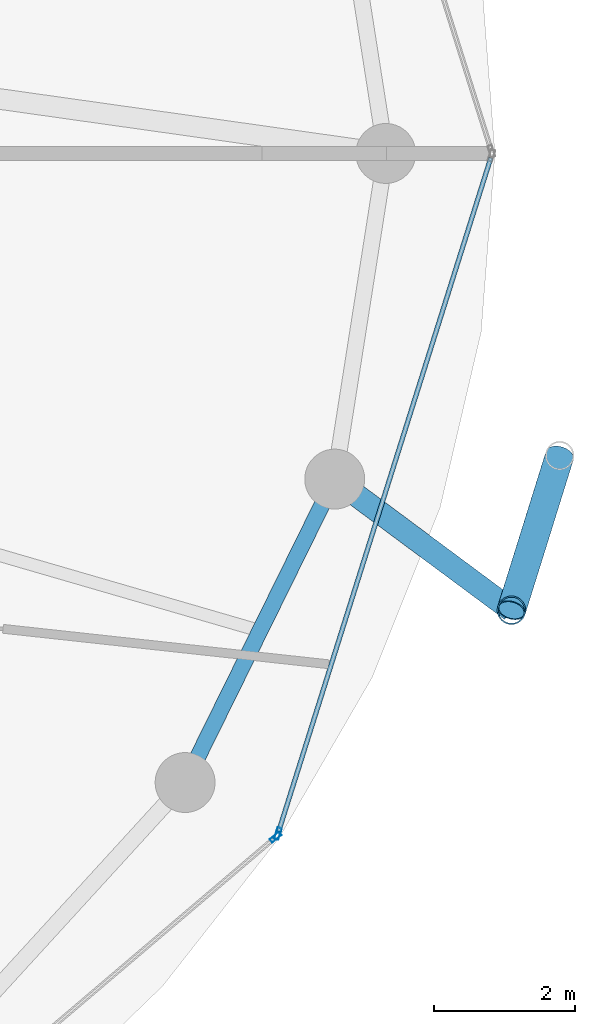
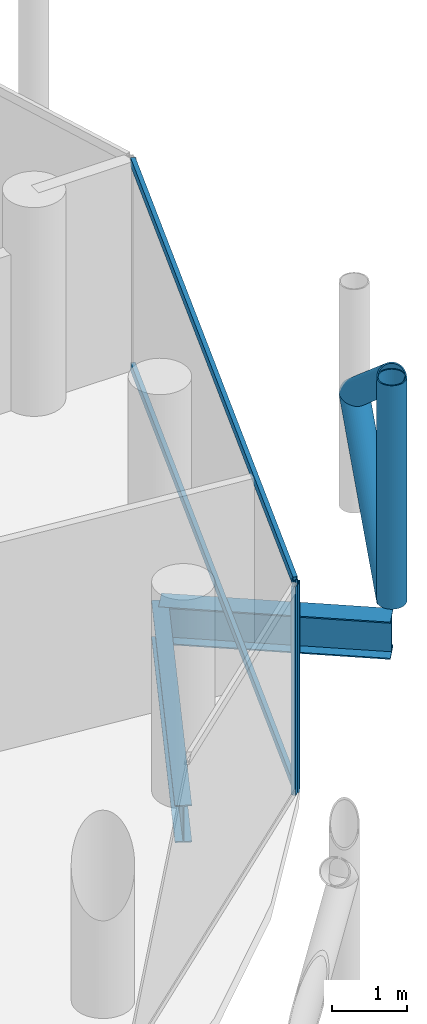
# One storey, part 13 of 27: 7 members, 2 beams, 2 elements without a shape of their own.
"""IFC4 building model written with IfcOpenShell, lengths in metres."""

import ifcopenshell
import ifcopenshell.guid

model = None  # the IFC model being written
_history = None  # IfcOwnerHistory: only IFC2X3 demands one
_inside = {}  # id of a spatial element -> (the spatial element, [elements in it])
_under = {}  # id of a project, library or spatial element -> (it, [spatial elements below it])
_declared = {}  # id of a project -> (the project, [libraries it declares])
_typed = {}  # id of a type object -> (the type object, [elements of that type])
_made_of = {}  # id of a material, layer set ... -> (it, [elements and type objects made of it])


def new_model(schema):
    """Start an empty IFC model of exactly this schema.

    Asked for "IFC4X3", IfcOpenShell would pick the latest addendum, in which some entities
    have other attributes; the version numbers below select the first issue.
    IFC2X3 requires an IfcOwnerHistory on every rooted entity: one is made here for all.
    """
    global model, _history
    if schema == "IFC4X3":
        model = ifcopenshell.file(schema_version=(4, 3, 0, 0))
    else:
        model = ifcopenshell.file(schema=schema)
    _inside.clear()
    _under.clear()
    _declared.clear()
    _typed.clear()
    _made_of.clear()
    _history = None
    if model.schema == "IFC2X3":
        org = make("IfcOrganization", Name="unknown")
        user = make(
            "IfcPersonAndOrganization",
            ThePerson=make("IfcPerson", FamilyName="unknown"),
            TheOrganization=org,
        )
        app = make(
            "IfcApplication",
            ApplicationDeveloper=org,
            Version="unknown",
            ApplicationFullName="unknown",
            ApplicationIdentifier="unknown",
        )
        _history = make(
            "IfcOwnerHistory",
            OwningUser=user,
            OwningApplication=app,
            ChangeAction="ADDED",
            CreationDate=0,
        )
    return model


def make(cls, **values):
    """One entity of the class cls with the attributes given. An attribute that is None is left unset."""
    return model.create_entity(
        cls, **{name: value for name, value in values.items() if value is not None}
    )


def rooted(cls, **values):
    """An entity with a GlobalId (a new one), such as an element, a storey or a relation."""
    return make(cls, GlobalId=ifcopenshell.guid.new(), OwnerHistory=_history, **values)


def si_unit(unit_type, name, prefix=None):
    """IfcSIUnit, for example si_unit("LENGTHUNIT", "METRE", prefix="MILLI")."""
    return make("IfcSIUnit", UnitType=unit_type, Prefix=prefix, Name=name)


def assignment(units):
    """IfcUnitAssignment: the units of a project."""
    return None if units is None else make("IfcUnitAssignment", Units=units)


def point(xyz):
    """IfcCartesianPoint."""
    return None if xyz is None else make("IfcCartesianPoint", Coordinates=xyz)


def direction(xyz):
    """IfcDirection."""
    return None if xyz is None else make("IfcDirection", DirectionRatios=xyz)


def frame(location, z_axis=None, x_axis=None):
    """IfcAxis2Placement3D, a coordinate frame: its origin and axes. An axis left out is left unset."""
    return make(
        "IfcAxis2Placement3D",
        Location=point(location),
        Axis=direction(z_axis),
        RefDirection=direction(x_axis),
    )


def frame_2d(location, x_axis=None):
    """IfcAxis2Placement2D, a coordinate frame in the plane: its origin and x axis."""
    return make(
        "IfcAxis2Placement2D", Location=point(location), RefDirection=direction(x_axis)
    )


def origin():
    """The frame at (0, 0, 0) with its axes left unset."""
    return frame((0.0, 0.0, 0.0))


def origin_2d():
    """The frame at (0, 0) in the plane with its x axis left unset."""
    return frame_2d((0.0, 0.0))


def place(relative_to, where):
    """IfcLocalPlacement: puts the frame where relative to a parent placement (None: the world)."""
    return make(
        "IfcLocalPlacement", PlacementRelTo=relative_to, RelativePlacement=where
    )


def context(
    kind, dimensions, precision=None, world=None, true_north=None, identifier=None
):
    """IfcGeometricRepresentationContext, for example the 3D "Model" context."""
    return make(
        "IfcGeometricRepresentationContext",
        ContextIdentifier=identifier,
        ContextType=kind,
        CoordinateSpaceDimension=dimensions,
        Precision=precision,
        WorldCoordinateSystem=world,
        TrueNorth=true_north,
    )


def subcontext(parent, identifier, kind, view, scale=None):
    """IfcGeometricRepresentationSubContext, for example "Body" below "Model"."""
    return make(
        "IfcGeometricRepresentationSubContext",
        ContextIdentifier=identifier,
        ContextType=kind,
        ParentContext=parent,
        TargetScale=scale,
        TargetView=view,
    )


def project(units=None, contexts=None):
    """IfcProject with its units and contexts."""
    return rooted(
        "IfcProject",
        Name="project",
        RepresentationContexts=contexts,
        UnitsInContext=assignment(units),
    )


def spatial(cls, under=None, at=None, **own):
    """A site, building, storey or space (cls), placed at a placement, below another one or the project."""
    s = rooted(cls, ObjectPlacement=at, **own)
    if under is not None:
        _under.setdefault(under.id(), (under, []))[1].append(s)
    return s


def profile(cls, at=None, kind="AREA", **sizes):
    """A parametric profile (cls). Its sizes go by their IFC names, for example OverallWidth=200.0."""
    return make(cls, ProfileType=kind, Position=at, **sizes)


def hollow_rectangle(**sizes):
    """IfcRectangleHollowProfileDef."""
    return profile("IfcRectangleHollowProfileDef", **sizes)


def hollow_circle(**sizes):
    """IfcCircleHollowProfileDef."""
    return profile("IfcCircleHollowProfileDef", **sizes)


def i_section(**sizes):
    """IfcIShapeProfileDef."""
    return profile("IfcIShapeProfileDef", **sizes)


def extrude(swept, where, along, depth):
    """IfcExtrudedAreaSolid: the profile swept, set in the frame where, extruded along a direction by depth."""
    return make(
        "IfcExtrudedAreaSolid",
        SweptArea=swept,
        Position=where,
        ExtrudedDirection=direction(along),
        Depth=depth,
    )


def shape(context_of_items, identifier, shape_type, items):
    """IfcShapeRepresentation: the items that make up one representation, for example the "Body"."""
    return make(
        "IfcShapeRepresentation",
        ContextOfItems=context_of_items,
        RepresentationIdentifier=identifier,
        RepresentationType=shape_type,
        Items=items,
    )


def material(Name=None, Category=None):
    """IfcMaterial."""
    return make("IfcMaterial", Name=Name, Category=Category)


def layer(
    of_material, thickness, ventilated=None, Name=None, Category=None, Priority=None
):
    """IfcMaterialLayer: one layer of a wall or slab, of a material (None: an air gap)."""
    return make(
        "IfcMaterialLayer",
        Material=of_material,
        LayerThickness=thickness,
        IsVentilated=ventilated,
        Name=Name,
        Category=Category,
        Priority=Priority,
    )


def layer_set(layers, Name=None):
    """IfcMaterialLayerSet."""
    return make("IfcMaterialLayerSet", MaterialLayers=layers, LayerSetName=Name)


def material_profile(
    of_material, cross_section, Name=None, Category=None, Priority=None
):
    """IfcMaterialProfile: a cross section and its material."""
    return make(
        "IfcMaterialProfile",
        Name=Name,
        Material=of_material,
        Profile=cross_section,
        Priority=Priority,
        Category=Category,
    )


def profile_set(profiles, Name=None, composite=None):
    """IfcMaterialProfileSet."""
    return make(
        "IfcMaterialProfileSet",
        Name=Name,
        MaterialProfiles=profiles,
        CompositeProfile=composite,
    )


def made_of(thing, what):
    """Note that an element or type object is made of a material, layer set ...; save() writes the relation."""
    if what is not None:
        _made_of.setdefault(what.id(), (what, []))[1].append(thing)
    return thing


def type_object(cls, material=None, **own):
    """A type object (cls), such as IfcWallType, which elements share."""
    return made_of(rooted(cls, **own), material)


def element(
    cls,
    number,
    at=None,
    inside=None,
    cuts=None,
    type_object=None,
    material=None,
    context=None,
    identifier="Body",
    shape_type=None,
    held_by="IfcProductDefinitionShape",
    body=None,
    shapes=None,
    **own,
):
    """One element of the class cls, such as IfcWall. Its Tag is "e" and its number.

    at: its placement. inside: the storey or other place that contains it. cuts: it is an
    opening in that element (IfcRelVoidsElement). A single representation is given by context,
    identifier, shape_type and body (its items); several are given by shapes. held_by: the class
    of the entity that holds the representations. save() writes the other relations.
    """
    e = rooted(cls, Tag="e%d" % number, ObjectPlacement=at, **own)
    if body is not None:
        shapes = [shape(context, identifier, shape_type, body)]
    if shapes is not None:
        e.Representation = make(held_by, Representations=shapes)
    if inside is not None:
        _inside.setdefault(inside.id(), (inside, []))[1].append(e)
    if cuts is not None:
        rooted(
            "IfcRelVoidsElement", RelatingBuildingElement=cuts, RelatedOpeningElement=e
        )
    if type_object is not None:
        _typed.setdefault(type_object.id(), (type_object, []))[1].append(e)
    return made_of(e, material)


def aggregate(whole, parts):
    """IfcRelAggregates: a whole, such as a stair, and the parts it consists of."""
    return rooted("IfcRelAggregates", RelatingObject=whole, RelatedObjects=parts)


def save(model, path):
    """Write the relations noted so far, then the file.

    IfcRelAggregates (storeys below a building ...), IfcRelContainedInSpatialStructure (elements
    in a storey), IfcRelDefinesByType, IfcRelAssociatesMaterial and IfcRelDeclares: one each for
    every whole, place, type object, material and project.
    """
    for whole, parts in _under.values():
        aggregate(whole, parts)
    for where, things in _inside.values():
        rooted(
            "IfcRelContainedInSpatialStructure",
            RelatedElements=things,
            RelatingStructure=where,
        )
    for kind, things in _typed.values():
        rooted("IfcRelDefinesByType", RelatedObjects=things, RelatingType=kind)
    for what, things in _made_of.values():
        rooted("IfcRelAssociatesMaterial", RelatedObjects=things, RelatingMaterial=what)
    for by, libraries in _declared.values():
        rooted("IfcRelDeclares", RelatingContext=by, RelatedDefinitions=libraries)
    model.write(path)


model = new_model("IFC4")

# Units and contexts
model_context = context("Model", 3, precision=1e-05, world=origin(), true_north=direction((0.0, 1.0)))
body_context = subcontext(model_context, "Body", "Model", "MODEL_VIEW")
ifc_project = project(units=[si_unit("LENGTHUNIT", "METRE"), si_unit("AREAUNIT", "SQUARE_METRE"), si_unit("VOLUMEUNIT", "CUBIC_METRE"), si_unit("PLANEANGLEUNIT", "RADIAN"), si_unit("MASSUNIT", "GRAM", prefix="KILO")], contexts=[model_context])

# Site, building, storey
site_placement = place(None, origin())
site = spatial("IfcSite", under=ifc_project, at=site_placement, CompositionType="ELEMENT")
building_placement = place(site_placement, origin())
building = spatial("IfcBuilding", under=site, at=building_placement, Name="Nuhasar Tower", CompositionType="ELEMENT")
storey_placement = place(building_placement, frame((0.0, 0.0, 226.39990234375)))
storey = spatial("IfcBuildingStorey", under=building, at=storey_placement, Name="L55", CompositionType="ELEMENT", Elevation=226.39990234375)

# Beams
ifc_material_1 = material(Name="Steel S355", Category="steel")
ifc_material_profile_1 = material_profile(ifc_material_1, i_section(OverallWidth=0.22802734375, OverallDepth=0.60791015625, WebThickness=0.01123046875, FlangeThickness=0.017333984375, at=origin_2d()), Name="W24X76")
ifc_profile_set_1 = profile_set([ifc_material_profile_1], Name="Steel S355")
beam_type_1 = type_object("IfcBeamType", Name="BM-RING-W24X76", PredefinedType="SPANDREL", material=ifc_profile_set_1)
beam_1_placement = place(storey_placement, frame((57.403076171875, 17.875, -0.5439453125), z_axis=(0.442262779282, 0.896885518928, 0.0), x_axis=(-0.896885518928, 0.442262779282, 0.0)))
element("IfcBeam", 1, at=beam_1_placement, inside=storey, type_object=beam_type_1, Name="L55 Perimeter Ring Spandrel 23", PredefinedType="SPANDREL", context=body_context, shape_type="SweptSolid", body=[
    extrude(i_section(OverallWidth=0.22802734375, OverallDepth=0.60791015625, WebThickness=0.01123046875, FlangeThickness=0.017333984375, at=origin_2d()), origin(), (0.0, 0.0, 1.0), 4.7998046875),
])
ifc_material_profile_2 = material_profile(ifc_material_1, i_section(OverallWidth=0.323974609375, OverallDepth=0.611083984375, WebThickness=0.0126953125, FlangeThickness=0.01904296875, at=origin_2d()), Name="W24X104")
ifc_profile_set_2 = profile_set([ifc_material_profile_2], Name="Steel S355")
beam_type_2 = type_object("IfcBeamType", Name="BM-TIE-W24X104", PredefinedType="BEAM", material=ifc_profile_set_2)
beam_2_placement = place(storey_placement, frame((59.52587890625, 22.179931640625, -0.544921875), z_axis=(0.802983345014, -0.596001466131, 0.0), x_axis=(0.596001466131, 0.802983345014, 0.0)))
element("IfcBeam", 2, at=beam_2_placement, inside=storey, type_object=beam_type_2, Name="L55 Exoskeleton Node Tie Beam 12", PredefinedType="BEAM", context=body_context, shape_type="SweptSolid", body=[
    extrude(i_section(OverallWidth=0.323974609375, OverallDepth=0.611083984375, WebThickness=0.0126953125, FlangeThickness=0.01904296875, at=origin_2d()), origin(), (0.0, 0.0, 1.0), 3.122314453125),
])

# Curtain wall, member
ifc_material_2 = material(Name="Aluminium 6063-T6", Category="aluminium")
ifc_layer = layer(ifc_material_2, 0.18994140625)
ifc_layer_set = layer_set([ifc_layer], Name="Aluminium 6063-T6")
curtain_wall_type = type_object("IfcCurtainWallType", Name="CW-Z3-RES", PredefinedType="NOTDEFINED", material=ifc_layer_set)
curtain_wall_1_placement = place(storey_placement, origin())
curtain_wall_1 = element("IfcCurtainWall", 3, at=curtain_wall_1_placement, inside=storey, type_object=curtain_wall_type, Name="L55 Unitised Curtain Wall 11", PredefinedType="NOTDEFINED")
ifc_material_profile_3 = material_profile(ifc_material_2, hollow_rectangle(XDim=0.06494140625, YDim=0.169921875, WallThickness=0.0048828125, at=origin_2d()), Name="CWM-4")
ifc_profile_set_3 = profile_set([ifc_material_profile_3], Name="Aluminium 6063-T6")
member_type_1 = type_object("IfcMemberType", Name="CW-MUL-S4", PredefinedType="MULLION", material=ifc_profile_set_3)
member_1_placement = place(storey_placement, frame((58.686279296875, 17.098876953125, 0.0), z_axis=(0.0, 0.0, 1.0), x_axis=(-0.64789521578, 0.761729472562, 0.0)))
member_1 = element("IfcMember", 4, at=member_1_placement, type_object=member_type_1, Name="CW-Z3 mullion 2", PredefinedType="MULLION", context=body_context, shape_type="SweptSolid", body=[
    extrude(hollow_rectangle(XDim=0.06494140625, YDim=0.169921875, WallThickness=0.0048828125, at=origin_2d()), origin(), (0.0, 0.0, 1.0), 3.41015625),
])
aggregate(curtain_wall_1, [member_1])

# Curtain wall, members
curtain_wall_2_placement = place(storey_placement, origin())
curtain_wall_2 = element("IfcCurtainWall", 5, at=curtain_wall_2_placement, inside=storey, type_object=curtain_wall_type, Name="L55 Unitised Curtain Wall 12", PredefinedType="NOTDEFINED")
member_2_placement = place(storey_placement, frame((58.720703125, 17.15087890625, 0.0), z_axis=(0.0, 0.0, 1.0), x_axis=(-0.95380429279, 0.30042864553, 0.0)))
member_2 = element("IfcMember", 6, at=member_2_placement, type_object=member_type_1, Name="CW-Z3 mullion 1", PredefinedType="MULLION", context=body_context, shape_type="SweptSolid", body=[
    extrude(hollow_rectangle(XDim=0.06494140625, YDim=0.169921875, WallThickness=0.0048828125, at=origin_2d()), origin(), (0.0, 0.0, 1.0), 3.41015625),
])
ifc_material_profile_4 = material_profile(ifc_material_2, hollow_rectangle(XDim=0.06494140625, YDim=0.139892578125, WallThickness=0.00439453125, at=origin_2d()), Name="CWT-4")
ifc_profile_set_4 = profile_set([ifc_material_profile_4], Name="Aluminium 6063-T6")
member_type_2 = type_object("IfcMemberType", Name="CW-TRN-S4", PredefinedType="USERDEFINED", material=ifc_profile_set_4)
member_3_placement = place(storey_placement, frame((58.73046875, 17.181884765625, 0.03271484375), z_axis=(0.300430390604, 0.953803743126, 0.0), x_axis=(-0.953803743126, 0.300430390604, 0.0)))
member_3 = element("IfcMember", 7, at=member_3_placement, type_object=member_type_2, Name="CW-Z3 transom 1.1", ObjectType="TRANSOM", PredefinedType="USERDEFINED", context=body_context, shape_type="SweptSolid", body=[
    extrude(hollow_rectangle(XDim=0.06494140625, YDim=0.139892578125, WallThickness=0.00439453125, at=origin_2d()), origin(), (0.0, 0.0, 1.0), 10.01904296875),
])
member_4_placement = place(storey_placement, frame((58.73046875, 17.181884765625, 3.377685546875), z_axis=(0.300430390604, 0.953803743126, 0.0), x_axis=(-0.953803743126, 0.300430390604, 0.0)))
member_4 = element("IfcMember", 8, at=member_4_placement, type_object=member_type_2, Name="CW-Z3 transom 1.2", ObjectType="TRANSOM", PredefinedType="USERDEFINED", context=body_context, shape_type="SweptSolid", body=[
    extrude(hollow_rectangle(XDim=0.06494140625, YDim=0.139892578125, WallThickness=0.00439453125, at=origin_2d()), origin(), (0.0, 0.0, 1.0), 10.01904296875),
])
aggregate(curtain_wall_2, [member_2, member_3, member_4])

# Members
ifc_material_3 = material(Name="Steel S460", Category="steel")
ifc_material_profile_5 = material_profile(ifc_material_3, hollow_circle(Radius=0.203125, WallThickness=0.01904296875, at=origin_2d()), Name="HSS406.4X19.1")
ifc_profile_set_5 = profile_set([ifc_material_profile_5], Name="Steel S460")
member_type_3 = type_object("IfcMemberType", Name="EXO-BRONZE-406", PredefinedType="BRACE", material=ifc_profile_set_5)
member_5_placement = place(storey_placement, frame((62.032958984375, 20.319091796875, 0.0), z_axis=(0.0, 0.0, 1.0), x_axis=(1.0, 0.0, 0.0)))
element("IfcMember", 9, at=member_5_placement, inside=storey, type_object=member_type_3, Name="L55 Exoskeleton Chord Column EC-12A", PredefinedType="BRACE", context=body_context, shape_type="SweptSolid", body=[
    extrude(hollow_circle(Radius=0.203125, WallThickness=0.01904296875, at=origin_2d()), origin(), (0.0, 0.0, 1.0), 3.650146484375),
])
for number, where, z_axis, x_axis, name in (
    (10, (62.032958984375, 20.319091796875, 0.0), (0.233360356896, 0.747651321632, 0.621739853228), (-0.954581948223, 0.297948492404, 0.0), "L55 Bronze Diagrid Brace W1-12"),
    (11, (62.718017578125, 22.513916015625, 1.8251953125), (-0.233372423355, -0.747689980743, 0.621688832709), (0.954581948223, -0.297948492404, 0.0), "L55 Bronze Diagrid Brace W2-12"),
):
    element("IfcMember", number, at=place(storey_placement, frame(where, z_axis=z_axis, x_axis=x_axis)), inside=storey, type_object=member_type_3, Name=name, PredefinedType="BRACE", context=body_context, shape_type="SweptSolid", body=[
        extrude(hollow_circle(Radius=0.203125, WallThickness=0.01904296875, at=origin_2d()), origin(), (0.0, 0.0, 1.0), 2.935546875),
    ])

save(model, "model.ifc")
